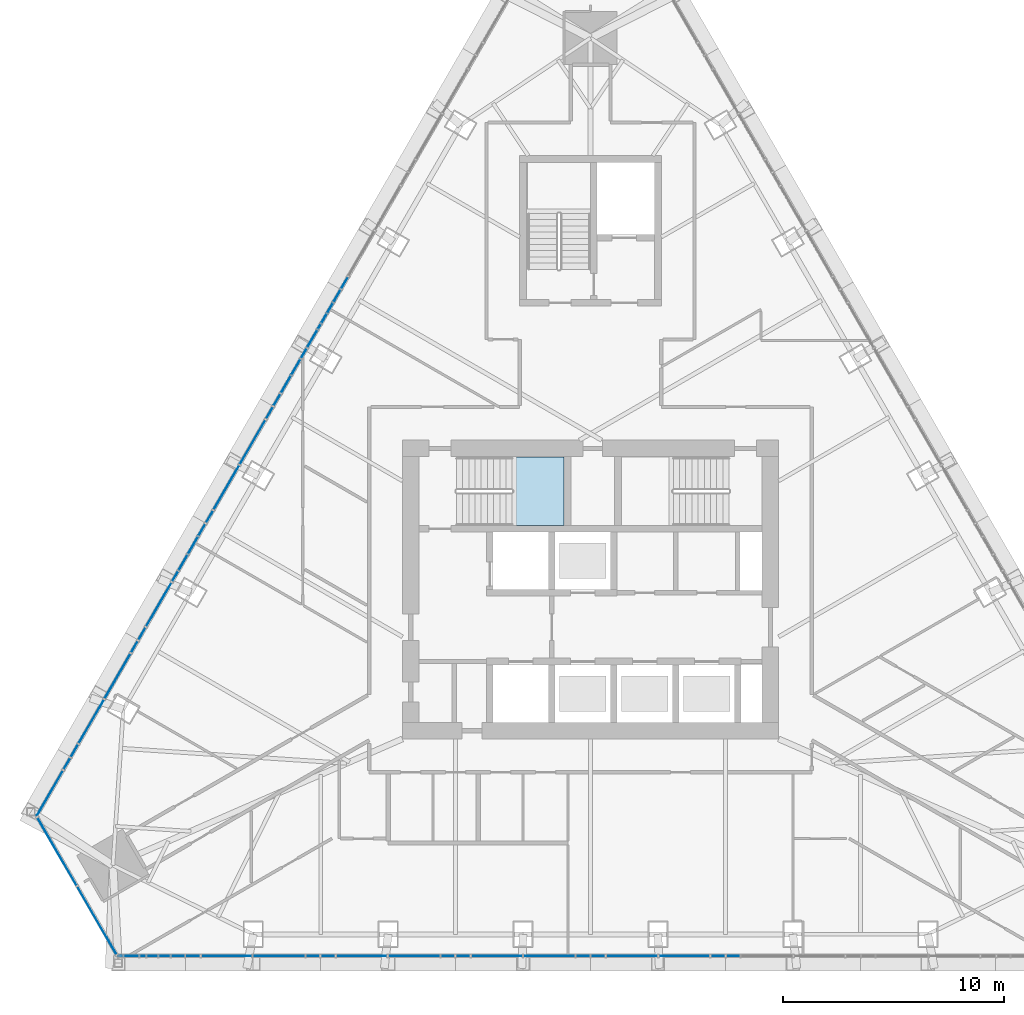
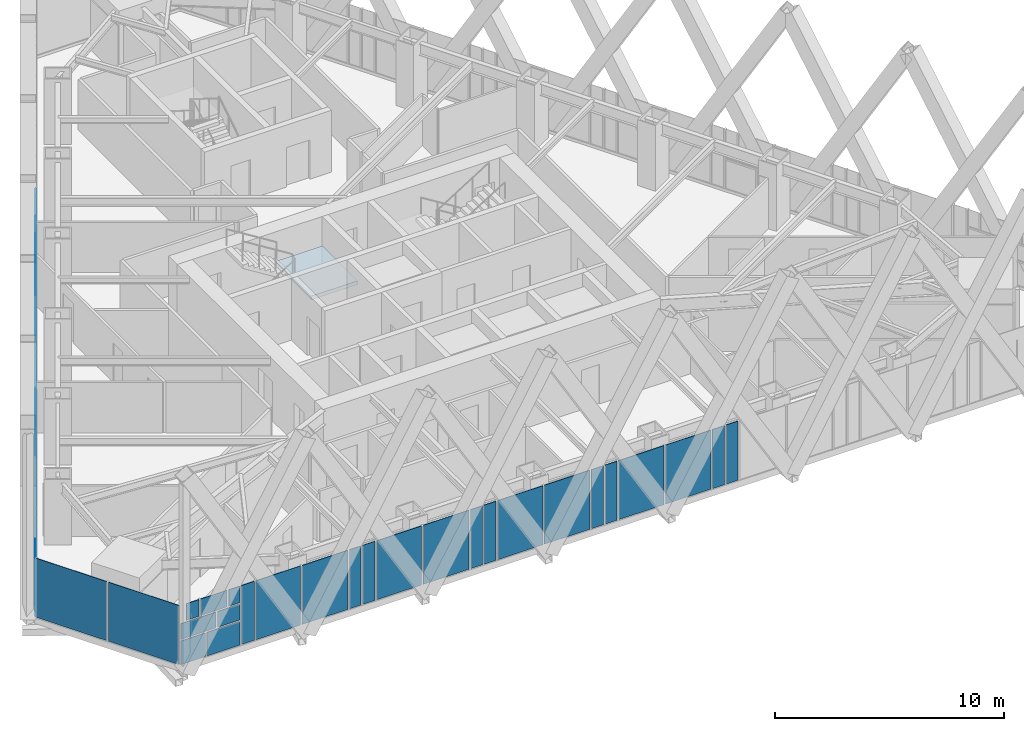
# One storey, part 12 of 23: 56 plates, 1 slab, 4 elements without a shape of their own.
"""IFC4 building model written with IfcOpenShell, lengths in metres."""

from ifc_helpers import new_model, si_unit, direction, frame, origin, place, context, subcontext, project, spatial, polyline, outline, extrude, material, layer, layer_set, type_object, element, aggregate, save


model = new_model("IFC4")

# Units and contexts
model_context = context("Model", 3, precision=1e-05, world=origin(), true_north=direction((0.0, 1.0)))
body_context = subcontext(model_context, "Body", "Model", "MODEL_VIEW")
ifc_project = project(units=[si_unit("LENGTHUNIT", "METRE"), si_unit("AREAUNIT", "SQUARE_METRE"), si_unit("VOLUMEUNIT", "CUBIC_METRE"), si_unit("PLANEANGLEUNIT", "RADIAN"), si_unit("MASSUNIT", "GRAM", prefix="KILO")], contexts=[model_context])

# Site, building, storey
site_placement = place(None, origin())
site = spatial("IfcSite", under=ifc_project, at=site_placement, CompositionType="ELEMENT")
building_placement = place(site_placement, origin())
building = spatial("IfcBuilding", under=site, at=building_placement, Name="Firuza Gate Tower and Library", CompositionType="ELEMENT")
storey_placement = place(building_placement, frame((0.0, 0.0, 302.10009765625)))
storey = spatial("IfcBuildingStorey", under=building, at=storey_placement, Name="L73", CompositionType="ELEMENT", Elevation=302.10009765625)

# Curtain wall, plates
ifc_material_1 = material(Name="Aluminium 6063-T6", Category="aluminium")
ifc_layer_1 = layer(ifc_material_1, 0.14990234375)
ifc_layer_set_1 = layer_set([ifc_layer_1], Name="Corner curtain wall, chamfers")
curtain_wall_type_1 = type_object("IfcCurtainWallType", Name="Corner curtain wall, chamfers", PredefinedType="NOTDEFINED", material=ifc_layer_set_1)
placement = place(storey_placement, origin())
curtain_wall_1 = element("IfcCurtainWall", 1, at=placement, inside=storey, type_object=curtain_wall_type_1, Name="CW4 L73 SW corner", PredefinedType="NOTDEFINED")
ifc_material_2 = material(Name="Fritted glass", Category="glass")
ifc_layer_2 = layer(ifc_material_2, 0.030029296875)
ifc_layer_set_2 = layer_set([ifc_layer_2], Name="Fritted glass unit, corners")
plate_type_1 = type_object("IfcPlateType", Name="Fritted glass unit, corners", PredefinedType="CURTAIN_PANEL", material=ifc_layer_set_2)
plate_1_placement = place(storey_placement, frame((49.984375, 64.718017578125, 0.14990234375), z_axis=(-0.866016723041, -0.500015035186, 0.0), x_axis=(0.500015035186, -0.866016723041, 0.0)))
plate_1 = element("IfcPlate", 2, at=plate_1_placement, type_object=plate_type_1, Name="Glass unit", PredefinedType="CURTAIN_PANEL", context=body_context, shape_type="SweptSolid", body=[
    extrude(outline(polyline([(0.0, 0.0), (3.5633694106530625, 0.0), (3.5633694106530625, 3.14990234375), (0.0, 3.14990234375), (0.0, 0.0)])), origin(), (0.0, 0.0, -1.0), 0.030029296875),
])
plate_2_placement = place(storey_placement, frame((51.80615234375, 61.562744140625, 0.14990234375), z_axis=(-0.866046390552, -0.49996364809, 0.0), x_axis=(0.49996364809, -0.866046390552, 0.0)))
plate_2 = element("IfcPlate", 3, at=plate_2_placement, type_object=plate_type_1, Name="Glass unit", PredefinedType="CURTAIN_PANEL", context=body_context, shape_type="SweptSolid", body=[
    extrude(outline(polyline([(0.0, 0.0), (3.563247342942594, 0.0), (3.563247342942594, 3.14990234375), (0.0, 3.14990234375), (0.0, 0.0)])), origin(), (0.0, 0.0, -1.0), 0.030029296875),
])
aggregate(curtain_wall_1, [plate_1, plate_2])

ifc_material_3 = material(Name="Aluminium 6063-T6", Category="aluminium")
ifc_layer_3 = layer(ifc_material_3, 0.14990234375)
ifc_layer_set_3 = layer_set([ifc_layer_3], Name="Unitised curtain wall, residences")
curtain_wall_type_2 = type_object("IfcCurtainWallType", Name="Unitised curtain wall, residences", PredefinedType="NOTDEFINED", material=ifc_layer_set_3)
curtain_wall_2 = element("IfcCurtainWall", 4, at=placement, inside=storey, type_object=curtain_wall_type_2, Name="CW3 L73 S face", PredefinedType="NOTDEFINED")
ifc_material_4 = material(Name="Fritted glass", Category="glass")
ifc_layer_4 = layer(ifc_material_4, 0.030029296875)
ifc_layer_set_4 = layer_set([ifc_layer_4], Name="Fritted glass unit, residences")
plate_type_2 = type_object("IfcPlateType", Name="Fritted glass unit, residences", PredefinedType="CURTAIN_PANEL", material=ifc_layer_set_4)
plate_3_placement = place(storey_placement, frame((54.972412109375, 58.434814453125, 0.14990234375), z_axis=(0.0, -1.0, 0.0), x_axis=(1.0, 0.0, 0.0)))
plate_3 = element("IfcPlate", 5, at=plate_3_placement, type_object=plate_type_2, Name="Glass unit", PredefinedType="CURTAIN_PANEL", context=body_context, shape_type="SweptSolid", body=[
    extrude(outline(polyline([(0.0, 0.0), (1.662353515625, 0.0), (1.662353515625, 1.260009765625), (0.0, 1.260009765625), (0.0, 0.0)])), origin(), (0.0, 0.0, -1.0), 0.030029296875),
])
plate_4_placement = place(storey_placement, frame((55.50927734375, 58.434814453125, 1.489990234375), z_axis=(0.0, -1.0, 0.0), x_axis=(1.0, 0.0, 0.0)))
plate_4 = element("IfcPlate", 6, at=plate_4_placement, type_object=plate_type_2, Name="Glass unit", PredefinedType="CURTAIN_PANEL", context=body_context, shape_type="SweptSolid", body=[
    extrude(outline(polyline([(0.0, 0.0), (1.12548828125, 0.0), (1.12548828125, 0.844970703125), (0.0, 0.844970703125), (0.0, 0.0)])), origin(), (0.0, 0.0, -1.0), 0.030029296875),
])
plate_5_placement = place(storey_placement, frame((53.9267578125, 58.434814453125, 2.414794921875), z_axis=(0.0, -1.0, 0.0), x_axis=(1.0, 0.0, 0.0)))
plate_5 = element("IfcPlate", 7, at=plate_5_placement, type_object=plate_type_2, Name="Glass unit", PredefinedType="CURTAIN_PANEL", context=body_context, shape_type="SweptSolid", body=[
    extrude(outline(polyline([(0.0, 0.0), (0.649658203125, 0.0), (0.649658203125, 0.885009765625), (0.0, 0.885009765625), (0.0, 0.0)])), origin(), (0.0, 0.0, -1.0), 0.030029296875),
])
plate_6_placement = place(storey_placement, frame((56.069580078125, 58.434814453125, 2.414794921875), z_axis=(0.0, -1.0, 0.0), x_axis=(1.0, 0.0, 0.0)))
plate_6 = element("IfcPlate", 8, at=plate_6_placement, type_object=plate_type_2, Name="Glass unit", PredefinedType="CURTAIN_PANEL", context=body_context, shape_type="SweptSolid", body=[
    extrude(outline(polyline([(0.0, 0.0), (0.565185546875, 0.0), (0.565185546875, 0.885009765625), (0.0, 0.885009765625), (0.0, 0.0)])), origin(), (0.0, 0.0, -1.0), 0.030029296875),
])
plate_7_placement = place(storey_placement, frame((56.71484375, 58.434814453125, 0.14990234375), z_axis=(0.0, -1.0, 0.0), x_axis=(1.0, 0.0, 0.0)))
plate_7 = element("IfcPlate", 9, at=plate_7_placement, type_object=plate_type_2, Name="Glass unit", PredefinedType="CURTAIN_PANEL", context=body_context, shape_type="SweptSolid", body=[
    extrude(outline(polyline([(0.0, 0.0), (0.6396484375, 0.0), (0.6396484375, 3.14990234375), (0.0, 3.14990234375), (0.0, 0.0)])), origin(), (0.0, 0.0, -1.0), 0.030029296875),
])
plate_8_placement = place(storey_placement, frame((62.16552734375, 58.434814453125, 0.14990234375), z_axis=(0.0, -1.0, 0.0), x_axis=(1.0, 0.0, 0.0)))
plate_8 = element("IfcPlate", 10, at=plate_8_placement, type_object=plate_type_2, Name="Glass unit", PredefinedType="CURTAIN_PANEL", context=body_context, shape_type="SweptSolid", body=[
    extrude(outline(polyline([(0.0, 0.0), (0.57763671875, 0.0), (0.57763671875, 3.14990234375), (0.0, 3.14990234375), (0.0, 0.0)])), origin(), (0.0, 0.0, -1.0), 0.030029296875),
])
plate_9_placement = place(storey_placement, frame((62.8232421875, 58.434814453125, 0.14990234375), z_axis=(0.0, -1.0, 0.0), x_axis=(1.0, 0.0, 0.0)))
plate_9 = element("IfcPlate", 11, at=plate_9_placement, type_object=plate_type_2, Name="Glass unit", PredefinedType="CURTAIN_PANEL", context=body_context, shape_type="SweptSolid", body=[
    extrude(outline(polyline([(0.0, 0.0), (0.627197265625, 0.0), (0.627197265625, 3.14990234375), (0.0, 3.14990234375), (0.0, 0.0)])), origin(), (0.0, 0.0, -1.0), 0.030029296875),
])
plate_10_placement = place(storey_placement, frame((68.261474609375, 58.434814453125, 0.14990234375), z_axis=(0.0, -1.0, 0.0), x_axis=(1.0, 0.0, 0.0)))
plate_10 = element("IfcPlate", 12, at=plate_10_placement, type_object=plate_type_2, Name="Glass unit", PredefinedType="CURTAIN_PANEL", context=body_context, shape_type="SweptSolid", body=[
    extrude(outline(polyline([(0.0, 0.0), (0.590087890625, 0.0), (0.590087890625, 3.14990234375), (0.0, 3.14990234375), (0.0, 0.0)])), origin(), (0.0, 0.0, -1.0), 0.030029296875),
])
plate_11_placement = place(storey_placement, frame((68.931640625, 58.434814453125, 0.14990234375), z_axis=(0.0, -1.0, 0.0), x_axis=(1.0, 0.0, 0.0)))
plate_11 = element("IfcPlate", 13, at=plate_11_placement, type_object=plate_type_2, Name="Glass unit", PredefinedType="CURTAIN_PANEL", context=body_context, shape_type="SweptSolid", body=[
    extrude(outline(polyline([(0.0, 0.0), (0.61474609375, 0.0), (0.61474609375, 3.14990234375), (0.0, 3.14990234375), (0.0, 0.0)])), origin(), (0.0, 0.0, -1.0), 0.030029296875),
])
plate_12_placement = place(storey_placement, frame((74.357666015625, 58.434814453125, 0.14990234375), z_axis=(0.0, -1.0, 0.0), x_axis=(1.0, 0.0, 0.0)))
plate_12 = element("IfcPlate", 14, at=plate_12_placement, type_object=plate_type_2, Name="Glass unit", PredefinedType="CURTAIN_PANEL", context=body_context, shape_type="SweptSolid", body=[
    extrude(outline(polyline([(0.0, 0.0), (0.602294921875, 0.0), (0.602294921875, 3.14990234375), (0.0, 3.14990234375), (0.0, 0.0)])), origin(), (0.0, 0.0, -1.0), 0.030029296875),
])
plate_13_placement = place(storey_placement, frame((75.0400390625, 58.434814453125, 0.14990234375), z_axis=(0.0, -1.0, 0.0), x_axis=(1.0, 0.0, 0.0)))
plate_13 = element("IfcPlate", 15, at=plate_13_placement, type_object=plate_type_2, Name="Glass unit", PredefinedType="CURTAIN_PANEL", context=body_context, shape_type="SweptSolid", body=[
    extrude(outline(polyline([(0.0, 0.0), (0.602294921875, 0.0), (0.602294921875, 3.14990234375), (0.0, 3.14990234375), (0.0, 0.0)])), origin(), (0.0, 0.0, -1.0), 0.030029296875),
])
plate_14_placement = place(storey_placement, frame((80.45361328125, 58.434814453125, 0.14990234375), z_axis=(0.0, -1.0, 0.0), x_axis=(1.0, 0.0, 0.0)))
plate_14 = element("IfcPlate", 16, at=plate_14_placement, type_object=plate_type_2, Name="Glass unit", PredefinedType="CURTAIN_PANEL", context=body_context, shape_type="SweptSolid", body=[
    extrude(outline(polyline([(0.0, 0.0), (0.61474609375, 0.0), (0.61474609375, 3.14990234375), (0.0, 3.14990234375), (0.0, 0.0)])), origin(), (0.0, 0.0, -1.0), 0.030029296875),
])
plate_15_placement = place(storey_placement, frame((81.1484375, 58.434814453125, 0.14990234375), z_axis=(0.0, -1.0, 0.0), x_axis=(1.0, 0.0, 0.0)))
plate_15 = element("IfcPlate", 17, at=plate_15_placement, type_object=plate_type_2, Name="Glass unit", PredefinedType="CURTAIN_PANEL", context=body_context, shape_type="SweptSolid", body=[
    extrude(outline(polyline([(0.0, 0.0), (0.590087890625, 0.0), (0.590087890625, 3.14990234375), (0.0, 3.14990234375), (0.0, 0.0)])), origin(), (0.0, 0.0, -1.0), 0.030029296875),
])

curtain_wall_3 = element("IfcCurtainWall", 18, at=placement, inside=storey, type_object=curtain_wall_type_2, Name="CW3 L73 W face", PredefinedType="NOTDEFINED")
plate_16_placement = place(storey_placement, frame((64.023193359375, 89.1181640625, 0.14990234375), z_axis=(-0.866096013675, 0.499877680134, 0.0), x_axis=(-0.499877680134, -0.866096013675, 0.0)))
plate_16 = element("IfcPlate", 19, at=plate_16_placement, type_object=plate_type_2, Name="Glass unit", PredefinedType="CURTAIN_PANEL", context=body_context, shape_type="SweptSolid", body=[
    extrude(outline(polyline([(0.0, 0.0), (0.5899880845272943, 0.0), (0.5899880845272943, 3.14990234375), (0.0, 3.14990234375), (0.0, 0.0)])), origin(), (0.0, 0.0, -1.0), 0.030029296875),
])
plate_17_placement = place(storey_placement, frame((63.688232421875, 88.5380859375, 0.14990234375), z_axis=(-0.866040728743, 0.499973455454, 0.0), x_axis=(-0.499973455454, -0.866040728743, 0.0)))
plate_17 = element("IfcPlate", 20, at=plate_17_placement, type_object=plate_type_2, Name="Glass unit", PredefinedType="CURTAIN_PANEL", context=body_context, shape_type="SweptSolid", body=[
    extrude(outline(polyline([(0.0, 0.0), (1.7120049512882918, 0.0), (1.7120049512882918, 1.260009765625), (0.0, 1.260009765625), (0.0, 0.0)])), origin(), (0.0, 0.0, -1.0), 0.030029296875),
])
plate_18_placement = place(storey_placement, frame((63.688232421875, 88.5380859375, 1.489990234375), z_axis=(-0.866061024631, 0.499938297808, 0.0), x_axis=(-0.499938297808, -0.866061024631, 0.0)))
plate_18 = element("IfcPlate", 21, at=plate_18_placement, type_object=plate_type_2, Name="Glass unit", PredefinedType="CURTAIN_PANEL", context=body_context, shape_type="SweptSolid", body=[
    extrude(outline(polyline([(0.0, 0.0), (1.1749496814423626, 0.0), (1.1749496814423626, 0.844970703125), (0.0, 0.844970703125), (0.0, 0.0)])), origin(), (0.0, 0.0, -1.0), 0.030029296875),
])
plate_19_placement = place(storey_placement, frame((63.688232421875, 88.5380859375, 2.414794921875), z_axis=(-0.866059952115, 0.49994015576, 0.0), x_axis=(-0.49994015576, -0.866059952115, 0.0)))
plate_19 = element("IfcPlate", 22, at=plate_19_placement, type_object=plate_type_2, Name="Glass unit", PredefinedType="CURTAIN_PANEL", context=body_context, shape_type="SweptSolid", body=[
    extrude(outline(polyline([(0.0, 0.0), (0.6148196805825695, 0.0), (0.6148196805825695, 0.885009765625), (0.0, 0.885009765625), (0.0, 0.0)])), origin(), (0.0, 0.0, -1.0), 0.030029296875),
])
plate_20_placement = place(storey_placement, frame((62.63427734375, 86.71240234375, 2.414794921875), z_axis=(-0.866049489508, 0.499958279983, 0.0), x_axis=(-0.499958279983, -0.866049489508, 0.0)))
plate_20 = element("IfcPlate", 23, at=plate_20_placement, type_object=plate_type_2, Name="Glass unit", PredefinedType="CURTAIN_PANEL", context=body_context, shape_type="SweptSolid", body=[
    extrude(outline(polyline([(0.0, 0.0), (0.8662832202018588, 0.0), (0.8662832202018588, 0.885009765625), (0.0, 0.885009765625), (0.0, 0.0)])), origin(), (0.0, 0.0, -1.0), 0.030029296875),
])
plate_21_placement = place(storey_placement, frame((61.444091796875, 84.65087890625, 0.14990234375), z_axis=(-0.865990194147, 0.500060979923, 0.0), x_axis=(-0.500060979923, -0.865990194147, 0.0)))
plate_21 = element("IfcPlate", 24, at=plate_21_placement, type_object=plate_type_2, Name="Glass unit", PredefinedType="CURTAIN_PANEL", context=body_context, shape_type="SweptSolid", body=[
    extrude(outline(polyline([(0.0, 0.0), (1.5398512624773142, 0.0), (1.5398512624773142, 1.5349121093750004), (0.0, 1.5349121093750004), (0.0, 0.0)])), origin(), (0.0, 0.0, -1.0), 0.030029296875),
])
plate_22_placement = place(storey_placement, frame((62.1611328125, 85.89306640625, 1.764892578125), z_axis=(-0.866136921896, 0.4998067952, 0.0), x_axis=(-0.4998067952, -0.866136921896, 0.0)))
plate_22 = element("IfcPlate", 25, at=plate_22_placement, type_object=plate_type_2, Name="Glass unit", PredefinedType="CURTAIN_PANEL", context=body_context, shape_type="SweptSolid", body=[
    extrude(outline(polyline([(0.0, 0.0), (0.5011702194840643, 0.0), (0.5011702194840643, 1.5349121093750004), (0.0, 1.5349121093750004), (0.0, 0.0)])), origin(), (0.0, 0.0, -1.0), 0.030029296875),
])
plate_23_placement = place(storey_placement, frame((60.975341796875, 83.8388671875, 1.764892578125), z_axis=(-0.865888485494, 0.500237074485, 0.0), x_axis=(-0.500237074485, -0.865888485494, 0.0)))
plate_23 = element("IfcPlate", 26, at=plate_23_placement, type_object=plate_type_2, Name="Glass unit", PredefinedType="CURTAIN_PANEL", context=body_context, shape_type="SweptSolid", body=[
    extrude(outline(polyline([(0.0, 0.0), (0.6022535046213806, 0.0), (0.6022535046213806, 1.534912109375), (0.0, 1.534912109375), (0.0, 0.0)])), origin(), (0.0, 0.0, -1.0), 0.030029296875),
])
plate_24_placement = place(storey_placement, frame((60.634033203125, 83.248046875, 0.14990234375), z_axis=(-0.86598987286, 0.500061536317, 0.0), x_axis=(-0.500061536317, -0.86598987286, 0.0)))
plate_24 = element("IfcPlate", 27, at=plate_24_placement, type_object=plate_type_2, Name="Glass unit", PredefinedType="CURTAIN_PANEL", context=body_context, shape_type="SweptSolid", body=[
    extrude(outline(polyline([(0.0, 0.0), (0.6024649155559688, 0.0), (0.6024649155559688, 3.14990234375), (0.0, 3.14990234375), (0.0, 0.0)])), origin(), (0.0, 0.0, -1.0), 0.030029296875),
])
plate_25_placement = place(storey_placement, frame((57.92724609375, 78.5595703125, 0.14990234375), z_axis=(-0.865960651394, 0.500112137663, 0.0), x_axis=(-0.500112137663, -0.865960651394, 0.0)))
plate_25 = element("IfcPlate", 28, at=plate_25_placement, type_object=plate_type_2, Name="Glass unit", PredefinedType="CURTAIN_PANEL", context=body_context, shape_type="SweptSolid", body=[
    extrude(outline(polyline([(0.0, 0.0), (0.614608252284158, 0.0), (0.614608252284158, 3.14990234375), (0.0, 3.14990234375), (0.0, 0.0)])), origin(), (0.0, 0.0, -1.0), 0.030029296875),
])
plate_26_placement = place(storey_placement, frame((57.579833984375, 77.9580078125, 0.14990234375), z_axis=(-0.866071151935, 0.499920753507, 0.0), x_axis=(-0.499920753507, -0.866071151935, 0.0)))
plate_26 = element("IfcPlate", 29, at=plate_26_placement, type_object=plate_type_2, Name="Glass unit", PredefinedType="CURTAIN_PANEL", context=body_context, shape_type="SweptSolid", body=[
    extrude(outline(polyline([(0.0, 0.0), (1.5275858616461073, 0.0), (1.5275858616461073, 1.534912109375), (0.0, 1.534912109375), (0.0, 0.0)])), origin(), (0.0, 0.0, -1.0), 0.030029296875),
])
plate_27_placement = place(storey_placement, frame((57.579833984375, 77.9580078125, 1.764892578125), z_axis=(-0.866096013675, 0.499877680134, 0.0), x_axis=(-0.499877680134, -0.866096013675, 0.0)))
plate_27 = element("IfcPlate", 30, at=plate_27_placement, type_object=plate_type_2, Name="Glass unit", PredefinedType="CURTAIN_PANEL", context=body_context, shape_type="SweptSolid", body=[
    extrude(outline(polyline([(0.0, 0.0), (0.5899880845272943, 0.0), (0.5899880845272943, 1.534912109375), (0.0, 1.534912109375), (0.0, 0.0)])), origin(), (0.0, 0.0, -1.0), 0.030029296875),
])
plate_28_placement = place(storey_placement, frame((56.349609375, 75.826904296875, 1.764892578125), z_axis=(-0.865892535325, 0.500230064339, 0.0), x_axis=(-0.500230064339, -0.865892535325, 0.0)))
plate_28 = element("IfcPlate", 31, at=plate_28_placement, type_object=plate_type_2, Name="Glass unit", PredefinedType="CURTAIN_PANEL", context=body_context, shape_type="SweptSolid", body=[
    extrude(outline(polyline([(0.0, 0.0), (0.5134356285427951, 0.0), (0.5134356285427951, 1.534912109375), (0.0, 1.534912109375), (0.0, 0.0)])), origin(), (0.0, 0.0, -1.0), 0.030029296875),
])
plate_29_placement = place(storey_placement, frame((54.879150390625, 73.2802734375, 0.14990234375), z_axis=(-0.866029956157, 0.499992114976, 0.0), x_axis=(-0.499992114976, -0.866029956157, 0.0)))
plate_29 = element("IfcPlate", 32, at=plate_29_placement, type_object=plate_type_2, Name="Glass unit", PredefinedType="CURTAIN_PANEL", context=body_context, shape_type="SweptSolid", body=[
    extrude(outline(polyline([(0.0, 0.0), (0.6269630122370689, 0.0), (0.6269630122370689, 3.14990234375), (0.0, 3.14990234375), (0.0, 0.0)])), origin(), (0.0, 0.0, -1.0), 0.030029296875),
])
plate_30_placement = place(storey_placement, frame((54.525634765625, 72.66796875, 0.14990234375), z_axis=(-0.86602370202, 0.50000294753, 0.0), x_axis=(-0.50000294753, -0.86602370202, 0.0)))
plate_30 = element("IfcPlate", 33, at=plate_30_placement, type_object=plate_type_2, Name="Glass unit", PredefinedType="CURTAIN_PANEL", context=body_context, shape_type="SweptSolid", body=[
    extrude(outline(polyline([(0.0, 0.0), (0.5776333135664108, 0.0), (0.5776333135664108, 3.149902343750001), (0.0, 3.149902343750001), (0.0, 0.0)])), origin(), (0.0, 0.0, -1.0), 0.030029296875),
])
plate_31_placement = place(storey_placement, frame((51.831298828125, 68.001220703125, 0.14990234375), z_axis=(-0.866026686418, 0.499997778408, 0.0), x_axis=(-0.499997778408, -0.866026686418, 0.0)))
plate_31 = element("IfcPlate", 34, at=plate_31_placement, type_object=plate_type_2, Name="Glass unit", PredefinedType="CURTAIN_PANEL", context=body_context, shape_type="SweptSolid", body=[
    extrude(outline(polyline([(0.0, 0.0), (0.639651279588748, 0.0), (0.639651279588748, 3.14990234375), (0.0, 3.14990234375), (0.0, 0.0)])), origin(), (0.0, 0.0, -1.0), 0.030029296875),
])
plate_32_placement = place(storey_placement, frame((51.471435546875, 67.3779296875, 0.14990234375), z_axis=(-0.86613523903, 0.4998097115, 0.0), x_axis=(-0.4998097115, -0.86613523903, 0.0)))
plate_32 = element("IfcPlate", 35, at=plate_32_placement, type_object=plate_type_2, Name="Glass unit", PredefinedType="CURTAIN_PANEL", context=body_context, shape_type="SweptSolid", body=[
    extrude(outline(polyline([(0.0, 0.0), (0.5651564918118888, 0.0), (0.5651564918118888, 3.14990234375), (0.0, 3.14990234375), (0.0, 0.0)])), origin(), (0.0, 0.0, -1.0), 0.030029296875),
])

# Plate
ifc_material_5 = material(Name="Glazed ceramic tile")
ifc_layer_5 = layer(ifc_material_5, 0.030029296875)
ifc_layer_set_5 = layer_set([ifc_layer_5], Name="Opaque ceramic panel, residences")
plate_type_3 = type_object("IfcPlateType", Name="Opaque ceramic panel, residences", PredefinedType="CURTAIN_PANEL", material=ifc_layer_set_5)
plate_33_placement = place(storey_placement, frame((53.66064453125, 58.434814453125, 0.14990234375), z_axis=(0.0, -1.0, 0.0), x_axis=(1.0, 0.0, 0.0)))
plate_33 = element("IfcPlate", 36, at=plate_33_placement, type_object=plate_type_3, Name="Opaque ceramic panel", PredefinedType="CURTAIN_PANEL", context=body_context, shape_type="SweptSolid", body=[
    extrude(outline(polyline([(0.0, 0.0), (1.231689453125, 0.0), (1.231689453125, 1.260009765625), (0.0, 1.260009765625), (0.0, 0.0)])), origin(), (0.0, 0.0, -1.0), 0.030029296875),
])

plate_34_placement = place(storey_placement, frame((53.66064453125, 58.434814453125, 1.489990234375), z_axis=(0.0, -1.0, 0.0), x_axis=(1.0, 0.0, 0.0)))
plate_34 = element("IfcPlate", 37, at=plate_34_placement, type_object=plate_type_3, Name="Opaque ceramic panel", PredefinedType="CURTAIN_PANEL", context=body_context, shape_type="SweptSolid", body=[
    extrude(outline(polyline([(0.0, 0.0), (1.768798828125, 0.0), (1.768798828125, 0.844970703125), (0.0, 0.844970703125), (0.0, 0.0)])), origin(), (0.0, 0.0, -1.0), 0.030029296875),
])

plate_35_placement = place(storey_placement, frame((54.65625, 58.434814453125, 2.414794921875), z_axis=(0.0, -1.0, 0.0), x_axis=(1.0, 0.0, 0.0)))
plate_35 = element("IfcPlate", 38, at=plate_35_placement, type_object=plate_type_3, Name="Opaque ceramic panel", PredefinedType="CURTAIN_PANEL", context=body_context, shape_type="SweptSolid", body=[
    extrude(outline(polyline([(0.0, 0.0), (1.333251953125, 0.0), (1.333251953125, 0.885009765625), (0.0, 0.885009765625), (0.0, 0.0)])), origin(), (0.0, 0.0, -1.0), 0.030029296875),
])

plate_36_placement = place(storey_placement, frame((57.434326171875, 58.434814453125, 0.14990234375), z_axis=(0.0, -1.0, 0.0), x_axis=(1.0, 0.0, 0.0)))
plate_36 = element("IfcPlate", 39, at=plate_36_placement, type_object=plate_type_3, Name="Opaque ceramic panel", PredefinedType="CURTAIN_PANEL", context=body_context, shape_type="SweptSolid", body=[
    extrude(outline(polyline([(0.0, 0.0), (2.254638671875, 0.0), (2.254638671875, 3.14990234375), (0.0, 3.14990234375), (0.0, 0.0)])), origin(), (0.0, 0.0, -1.0), 0.030029296875),
])

plate_37_placement = place(storey_placement, frame((59.76904296875, 58.434814453125, 0.14990234375), z_axis=(0.0, -1.0, 0.0), x_axis=(1.0, 0.0, 0.0)))
plate_37 = element("IfcPlate", 40, at=plate_37_placement, type_object=plate_type_3, Name="Opaque ceramic panel", PredefinedType="CURTAIN_PANEL", context=body_context, shape_type="SweptSolid", body=[
    extrude(outline(polyline([(0.0, 0.0), (2.316650390625, 0.0), (2.316650390625, 3.14990234375), (0.0, 3.14990234375), (0.0, 0.0)])), origin(), (0.0, 0.0, -1.0), 0.030029296875),
])

plate_38_placement = place(storey_placement, frame((63.530517578125, 58.434814453125, 0.14990234375), z_axis=(0.0, -1.0, 0.0), x_axis=(1.0, 0.0, 0.0)))
plate_38 = element("IfcPlate", 41, at=plate_38_placement, type_object=plate_type_3, Name="Opaque ceramic panel", PredefinedType="CURTAIN_PANEL", context=body_context, shape_type="SweptSolid", body=[
    extrude(outline(polyline([(0.0, 0.0), (2.266845703125, 0.0), (2.266845703125, 3.14990234375), (0.0, 3.14990234375), (0.0, 0.0)])), origin(), (0.0, 0.0, -1.0), 0.030029296875),
])

plate_39_placement = place(storey_placement, frame((65.87744140625, 58.434814453125, 0.14990234375), z_axis=(0.0, -1.0, 0.0), x_axis=(1.0, 0.0, 0.0)))
plate_39 = element("IfcPlate", 42, at=plate_39_placement, type_object=plate_type_3, Name="Opaque ceramic panel", PredefinedType="CURTAIN_PANEL", context=body_context, shape_type="SweptSolid", body=[
    extrude(outline(polyline([(0.0, 0.0), (2.30419921875, 0.0), (2.30419921875, 3.14990234375), (0.0, 3.14990234375), (0.0, 0.0)])), origin(), (0.0, 0.0, -1.0), 0.030029296875),
])

plate_40_placement = place(storey_placement, frame((69.62646484375, 58.434814453125, 0.14990234375), z_axis=(0.0, -1.0, 0.0), x_axis=(1.0, 0.0, 0.0)))
plate_40 = element("IfcPlate", 43, at=plate_40_placement, type_object=plate_type_3, Name="Opaque ceramic panel", PredefinedType="CURTAIN_PANEL", context=body_context, shape_type="SweptSolid", body=[
    extrude(outline(polyline([(0.0, 0.0), (2.279296875, 0.0), (2.279296875, 3.14990234375), (0.0, 3.14990234375), (0.0, 0.0)])), origin(), (0.0, 0.0, -1.0), 0.030029296875),
])

plate_41_placement = place(storey_placement, frame((71.98583984375, 58.434814453125, 0.14990234375), z_axis=(0.0, -1.0, 0.0), x_axis=(1.0, 0.0, 0.0)))
plate_41 = element("IfcPlate", 44, at=plate_41_placement, type_object=plate_type_3, Name="Opaque ceramic panel", PredefinedType="CURTAIN_PANEL", context=body_context, shape_type="SweptSolid", body=[
    extrude(outline(polyline([(0.0, 0.0), (2.291748046875, 0.0), (2.291748046875, 3.14990234375), (0.0, 3.14990234375), (0.0, 0.0)])), origin(), (0.0, 0.0, -1.0), 0.030029296875),
])

plate_42_placement = place(storey_placement, frame((75.722412109375, 58.434814453125, 0.14990234375), z_axis=(0.0, -1.0, 0.0), x_axis=(1.0, 0.0, 0.0)))
plate_42 = element("IfcPlate", 45, at=plate_42_placement, type_object=plate_type_3, Name="Opaque ceramic panel", PredefinedType="CURTAIN_PANEL", context=body_context, shape_type="SweptSolid", body=[
    extrude(outline(polyline([(0.0, 0.0), (2.291748046875, 0.0), (2.291748046875, 3.14990234375), (0.0, 3.14990234375), (0.0, 0.0)])), origin(), (0.0, 0.0, -1.0), 0.030029296875),
])

plate_43_placement = place(storey_placement, frame((78.09423828125, 58.434814453125, 0.14990234375), z_axis=(0.0, -1.0, 0.0), x_axis=(1.0, 0.0, 0.0)))
plate_43 = element("IfcPlate", 46, at=plate_43_placement, type_object=plate_type_3, Name="Opaque ceramic panel", PredefinedType="CURTAIN_PANEL", context=body_context, shape_type="SweptSolid", body=[
    extrude(outline(polyline([(0.0, 0.0), (2.279296875, 0.0), (2.279296875, 3.14990234375), (0.0, 3.14990234375), (0.0, 0.0)])), origin(), (0.0, 0.0, -1.0), 0.030029296875),
])

aggregate(curtain_wall_2, [plate_33, plate_3, plate_34, plate_4, plate_5, plate_35, plate_6, plate_7, plate_36, plate_37, plate_8, plate_9, plate_38, plate_39, plate_10, plate_11, plate_40, plate_41, plate_12, plate_13, plate_42, plate_43, plate_14, plate_15])

plate_44_placement = place(storey_placement, frame((62.792236328125, 86.986083984375, 0.14990234375), z_axis=(-0.866061796884, 0.499936960004, 0.0), x_axis=(-0.499936960004, -0.866061796884, 0.0)))
plate_44 = element("IfcPlate", 47, at=plate_44_placement, type_object=plate_type_3, Name="Opaque ceramic panel", PredefinedType="CURTAIN_PANEL", context=body_context, shape_type="SweptSolid", body=[
    extrude(outline(polyline([(0.0, 0.0), (1.1822779678469773, 0.0), (1.1822779678469773, 1.260009765625), (0.0, 1.260009765625), (0.0, 0.0)])), origin(), (0.0, 0.0, -1.0), 0.030029296875),
])

plate_45_placement = place(storey_placement, frame((63.060791015625, 87.451171875, 1.489990234375), z_axis=(-0.86604134632, 0.499972385701, 0.0), x_axis=(-0.499972385701, -0.86604134632, 0.0)))
plate_45 = element("IfcPlate", 48, at=plate_45_placement, type_object=plate_type_3, Name="Opaque ceramic panel", PredefinedType="CURTAIN_PANEL", context=body_context, shape_type="SweptSolid", body=[
    extrude(outline(polyline([(0.0, 0.0), (1.7193332376126316, 0.0), (1.7193332376126316, 0.8449707031250002), (0.0, 0.8449707031250002), (0.0, 0.0)])), origin(), (0.0, 0.0, -1.0), 0.030029296875),
])

plate_46_placement = place(storey_placement, frame((63.3408203125, 87.936279296875, 2.414794921875), z_axis=(-0.86604835413, 0.499960246728, 0.0), x_axis=(-0.499960246728, -0.86604835413, 0.0)))
plate_46 = element("IfcPlate", 49, at=plate_46_placement, type_object=plate_type_3, Name="Opaque ceramic panel", PredefinedType="CURTAIN_PANEL", context=body_context, shape_type="SweptSolid", body=[
    extrude(outline(polyline([(0.0, 0.0), (1.3331138037717993, 0.0), (1.3331138037717993, 0.8850097656250002), (0.0, 0.8850097656250002), (0.0, 0.0)])), origin(), (0.0, 0.0, -1.0), 0.030029296875),
])

plate_47_placement = place(storey_placement, frame((62.1611328125, 85.89306640625, 0.14990234375), z_axis=(-0.866071512037, 0.499920129658, 0.0), x_axis=(-0.499920129658, -0.866071512037, 0.0)))
plate_47 = element("IfcPlate", 50, at=plate_47_placement, type_object=plate_type_3, Name="Opaque ceramic panel", PredefinedType="CURTAIN_PANEL", context=body_context, shape_type="SweptSolid", body=[
    extrude(outline(polyline([(0.0, 0.0), (1.354220230314758, 0.0), (1.354220230314758, 1.534912109375), (0.0, 1.534912109375), (0.0, 0.0)])), origin(), (0.0, 0.0, -1.0), 0.030029296875),
])

plate_48_placement = place(storey_placement, frame((61.87060546875, 85.3896484375, 1.764892578125), z_axis=(-0.86604773994, 0.499961310648, 0.0), x_axis=(-0.499961310648, -0.86604773994, 0.0)))
plate_48 = element("IfcPlate", 51, at=plate_48_placement, type_object=plate_type_3, Name="Opaque ceramic panel", PredefinedType="CURTAIN_PANEL", context=body_context, shape_type="SweptSolid", body=[
    extrude(outline(polyline([(0.0, 0.0), (1.7105815813368401, 0.0), (1.7105815813368401, 1.534912109375), (0.0, 1.534912109375), (0.0, 0.0)])), origin(), (0.0, 0.0, -1.0), 0.030029296875),
])

plate_49_placement = place(storey_placement, frame((60.29296875, 82.656982421875, 0.14990234375), z_axis=(-0.865992204334, 0.500057498726, 0.0), x_axis=(-0.500057498726, -0.865992204334, 0.0)))
plate_49 = element("IfcPlate", 52, at=plate_49_placement, type_object=plate_type_3, Name="Opaque ceramic panel", PredefinedType="CURTAIN_PANEL", context=body_context, shape_type="SweptSolid", body=[
    extrude(outline(polyline([(0.0, 0.0), (2.291728644544413, 0.0), (2.291728644544413, 3.149902343750001), (0.0, 3.149902343750001), (0.0, 0.0)])), origin(), (0.0, 0.0, -1.0), 0.030029296875),
])

plate_50_placement = place(storey_placement, frame((59.10693359375, 80.60302734375, 0.14990234375), z_axis=(-0.866046471269, 0.499963508271, 0.0), x_axis=(-0.499963508271, -0.866046471269, 0.0)))
plate_50 = element("IfcPlate", 53, at=plate_50_placement, type_object=plate_type_3, Name="Opaque ceramic panel", PredefinedType="CURTAIN_PANEL", context=body_context, shape_type="SweptSolid", body=[
    extrude(outline(polyline([(0.0, 0.0), (2.279463238107798, 0.0), (2.279463238107798, 3.14990234375), (0.0, 3.14990234375), (0.0, 0.0)])), origin(), (0.0, 0.0, -1.0), 0.030029296875),
])

plate_51_placement = place(storey_placement, frame((56.776123046875, 76.565673828125, 0.14990234375), z_axis=(-0.865980278416, 0.500078151287, 0.0), x_axis=(-0.500078151287, -0.865980278416, 0.0)))
plate_51 = element("IfcPlate", 54, at=plate_51_placement, type_object=plate_type_3, Name="Opaque ceramic panel", PredefinedType="CURTAIN_PANEL", context=body_context, shape_type="SweptSolid", body=[
    extrude(outline(polyline([(0.0, 0.0), (1.3664856335289186, 0.0), (1.3664856335289186, 1.534912109375), (0.0, 1.534912109375), (0.0, 0.0)])), origin(), (0.0, 0.0, -1.0), 0.030029296875),
])

plate_52_placement = place(storey_placement, frame((57.244873046875, 77.377685546875, 1.764892578125), z_axis=(-0.86604773994, 0.499961310648, 0.0), x_axis=(-0.499961310648, -0.86604773994, 0.0)))
plate_52 = element("IfcPlate", 55, at=plate_52_placement, type_object=plate_type_3, Name="Opaque ceramic panel", PredefinedType="CURTAIN_PANEL", context=body_context, shape_type="SweptSolid", body=[
    extrude(outline(polyline([(0.0, 0.0), (1.7105815813368401, 0.0), (1.7105815813368401, 1.534912109375), (0.0, 1.534912109375), (0.0, 0.0)])), origin(), (0.0, 0.0, -1.0), 0.030029296875),
])

plate_53_placement = place(storey_placement, frame((56.052734375, 75.31298828125, 0.14990234375), z_axis=(-0.866027775618, 0.499995891842, 0.0), x_axis=(-0.499995891842, -0.866027775618, 0.0)))
plate_53 = element("IfcPlate", 56, at=plate_53_placement, type_object=plate_type_3, Name="Opaque ceramic panel", PredefinedType="CURTAIN_PANEL", context=body_context, shape_type="SweptSolid", body=[
    extrude(outline(polyline([(0.0, 0.0), (2.2671084710300136, 0.0), (2.2671084710300136, 3.14990234375), (0.0, 3.14990234375), (0.0, 0.0)])), origin(), (0.0, 0.0, -1.0), 0.030029296875),
])

plate_54_placement = place(storey_placement, frame((54.19677734375, 72.098388671875, 0.14990234375), z_axis=(-0.866029381593, 0.499993110171, 0.0), x_axis=(-0.499993110171, -0.866029381593, 0.0)))
plate_54 = element("IfcPlate", 57, at=plate_54_placement, type_object=plate_type_3, Name="Opaque ceramic panel", PredefinedType="CURTAIN_PANEL", context=body_context, shape_type="SweptSolid", body=[
    extrude(outline(polyline([(0.0, 0.0), (2.3164381697258296, 0.0), (2.3164381697258296, 3.14990234375), (0.0, 3.14990234375), (0.0, 0.0)])), origin(), (0.0, 0.0, -1.0), 0.030029296875),
])

plate_55_placement = place(storey_placement, frame((52.99853515625, 70.02294921875, 0.14990234375), z_axis=(-0.8660557602, 0.49994741746, 0.0), x_axis=(-0.49994741746, -0.8660557602, 0.0)))
plate_55 = element("IfcPlate", 58, at=plate_55_placement, type_object=plate_type_3, Name="Opaque ceramic panel", PredefinedType="CURTAIN_PANEL", context=body_context, shape_type="SweptSolid", body=[
    extrude(outline(polyline([(0.0, 0.0), (2.2546316397680672, 0.0), (2.2546316397680672, 3.1499023437499996), (0.0, 3.1499023437499996), (0.0, 0.0)])), origin(), (0.0, 0.0, -1.0), 0.030029296875),
])

plate_56_placement = place(storey_placement, frame((51.14892578125, 66.819091796875, 0.14990234375), z_axis=(-0.866002278571, 0.500040051905, 0.0), x_axis=(-0.500040051905, -0.866002278571, 0.0)))
plate_56 = element("IfcPlate", 59, at=plate_56_placement, type_object=plate_type_3, Name="Opaque ceramic panel", PredefinedType="CURTAIN_PANEL", context=body_context, shape_type="SweptSolid", body=[
    extrude(outline(polyline([(0.0, 0.0), (2.328915007535432, 0.0), (2.328915007535432, 3.14990234375), (0.0, 3.14990234375), (0.0, 0.0)])), origin(), (0.0, 0.0, -1.0), 0.030029296875),
])

aggregate(curtain_wall_3, [plate_16, plate_17, plate_44, plate_18, plate_45, plate_19, plate_46, plate_20, plate_47, plate_21, plate_22, plate_48, plate_23, plate_24, plate_49, plate_50, plate_25, plate_26, plate_51, plate_27, plate_52, plate_28, plate_53, plate_29, plate_30, plate_54, plate_55, plate_31, plate_32, plate_56])

# Stair, slab
ifc_material_6 = material(Name="Concrete C35/45", Category="concrete")
stair_type = type_object("IfcStairType", Name="Exit stair ST8", PredefinedType="HALF_TURN_STAIR", material=ifc_material_6)
stair = element("IfcStair", 60, at=placement, inside=storey, type_object=stair_type, Name="L73 Stair ST1", PredefinedType="HALF_TURN_STAIR")
ifc_material_7 = material(Name="Concrete C35/45", Category="concrete")
ifc_layer_6 = layer(ifc_material_7, 0.199951171875)
ifc_layer_set_6 = layer_set([ifc_layer_6], Name="Stair landing 200")
slab_type = type_object("IfcSlabType", Name="Stair landing 200", PredefinedType="LANDING", material=ifc_layer_set_6)
slab_placement = place(storey_placement, frame((0.0, 0.0, 1.5498046875)))
slab = element("IfcSlab", 61, at=slab_placement, type_object=slab_type, Name="ST1 landing 1", PredefinedType="LANDING", context=body_context, shape_type="SweptSolid", body=[
    extrude(outline(polyline([(71.4599609375, 77.89990234375), (73.81005859375, 77.89990234375), (73.81005859375, 80.97998046875), (71.4599609375, 80.97998046875), (71.4599609375, 77.89990234375)])), origin(), (0.0, 0.0, 1.0), 0.2001953125),
])
aggregate(stair, [slab])

save(model, "model.ifc")
